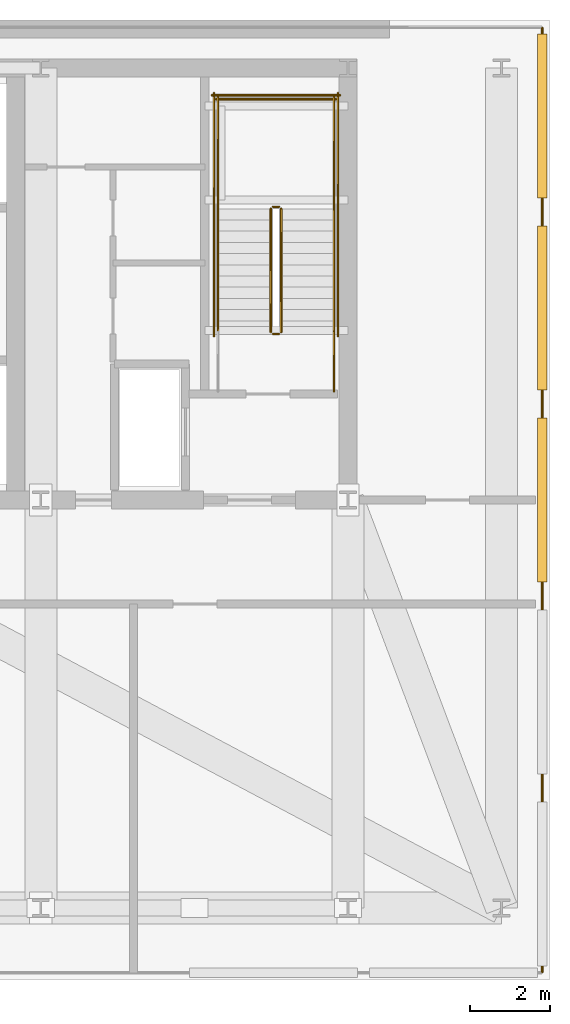
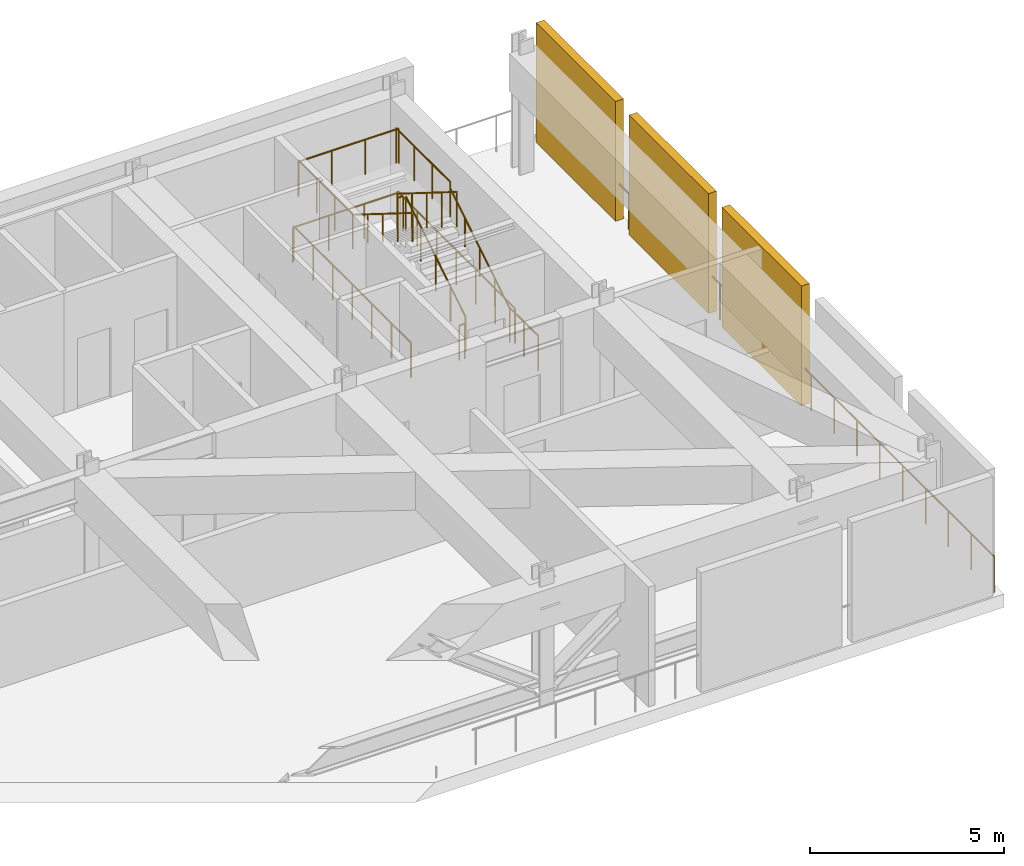
# One storey, part 8 of 8: 14 railings, 3 shading devices.
"""IFC4 building model written with IfcOpenShell, lengths in metres."""

from ifc_helpers import new_model, si_unit, direction, frame, origin, origin_2d, place, context, subcontext, project, spatial, rectangle, circle, extrude, material, layer, layer_set, type_object, element, save


model = new_model("IFC4")

# Units and contexts
model_context = context("Model", 3, precision=1e-05, world=origin(), true_north=direction((0.0, 1.0)))
body_context = subcontext(model_context, "Body", "Model", "MODEL_VIEW")
ifc_project = project(units=[si_unit("LENGTHUNIT", "METRE"), si_unit("AREAUNIT", "SQUARE_METRE"), si_unit("VOLUMEUNIT", "CUBIC_METRE"), si_unit("PLANEANGLEUNIT", "RADIAN"), si_unit("MASSUNIT", "GRAM", prefix="KILO")], contexts=[model_context])

# Site, building, storey
site_placement = place(None, origin())
site = spatial("IfcSite", under=ifc_project, at=site_placement, CompositionType="ELEMENT")
building_placement = place(site_placement, origin())
building = spatial("IfcBuilding", under=site, at=building_placement, Name="Yelkora Congress Tower", CompositionType="ELEMENT")
storey_placement = place(building_placement, frame((0.0, 0.0, 200.300048828125)))
storey = spatial("IfcBuildingStorey", under=building, at=storey_placement, Name="L55", CompositionType="ELEMENT", Elevation=200.300048828125)

# Railings
ifc_material_1 = material(Name="Stainless steel 316L and laminated glass infill", Category="steel")
ifc_layer_1 = layer(ifc_material_1, 0.080078125)
ifc_layer_set_1 = layer_set([ifc_layer_1], Name="Stainless steel 316L and laminated glass infill")
railing_type_1 = type_object("IfcRailingType", Name="RAIL-EXT-GUARD-1150", PredefinedType="GUARDRAIL", material=ifc_layer_set_1)
railing_1_placement = place(storey_placement, frame((58.6201171875, 23.60009765625, 0.0)))
element("IfcRailing", 1, at=railing_1_placement, inside=storey, type_object=railing_type_1, Name="L55 Wind-Floor Perimeter Guardrail E", PredefinedType="GUARDRAIL", context=body_context, shape_type="SweptSolid", body=[
    extrude(circle(Radius=0.02392578125, at=origin_2d()), frame((0.0, 0.0, 1.1259765625), z_axis=(0.0, 1.0, 0.0), x_axis=(-1.0, 0.0, 0.0)), (0.0, 0.0, 1.0), 23.599853515625),
    extrude(circle(Radius=0.02099609375, at=origin_2d()), origin(), (0.0, 0.0, 1.0), 1.101806640625),
    extrude(circle(Radius=0.02099609375, at=origin_2d()), frame((0.0, 1.179931640625, 0.0)), (0.0, 0.0, 1.0), 1.101806640625),
    extrude(circle(Radius=0.02099609375, at=origin_2d()), frame((0.0, 2.35986328125, 0.0)), (0.0, 0.0, 1.0), 1.101806640625),
    extrude(circle(Radius=0.02099609375, at=origin_2d()), frame((0.0, 3.5400390625, 0.0)), (0.0, 0.0, 1.0), 1.101806640625),
    extrude(circle(Radius=0.02099609375, at=origin_2d()), frame((0.0, 4.719970703125, 0.0)), (0.0, 0.0, 1.0), 1.101806640625),
    extrude(circle(Radius=0.02099609375, at=origin_2d()), frame((0.0, 5.89990234375, 0.0)), (0.0, 0.0, 1.0), 1.101806640625),
    extrude(circle(Radius=0.02099609375, at=origin_2d()), frame((0.0, 7.080078125, 0.0)), (0.0, 0.0, 1.0), 1.101806640625),
    extrude(circle(Radius=0.02099609375, at=origin_2d()), frame((0.0, 8.260009765625, 0.0)), (0.0, 0.0, 1.0), 1.101806640625),
    extrude(circle(Radius=0.02099609375, at=origin_2d()), frame((0.0, 9.43994140625, 0.0)), (0.0, 0.0, 1.0), 1.101806640625),
    extrude(circle(Radius=0.02099609375, at=origin_2d()), frame((0.0, 10.619873046875, 0.0)), (0.0, 0.0, 1.0), 1.101806640625),
    extrude(circle(Radius=0.02099609375, at=origin_2d()), frame((0.0, 11.7998046875, 0.0)), (0.0, 0.0, 1.0), 1.101806640625),
    extrude(circle(Radius=0.02099609375, at=origin_2d()), frame((0.0, 12.97998046875, 0.0)), (0.0, 0.0, 1.0), 1.101806640625),
    extrude(circle(Radius=0.02099609375, at=origin_2d()), frame((0.0, 14.159912109375, 0.0)), (0.0, 0.0, 1.0), 1.101806640625),
    extrude(circle(Radius=0.02099609375, at=origin_2d()), frame((0.0, 15.33984375, 0.0)), (0.0, 0.0, 1.0), 1.101806640625),
    extrude(circle(Radius=0.02099609375, at=origin_2d()), frame((0.0, 16.52001953125, 0.0)), (0.0, 0.0, 1.0), 1.101806640625),
    extrude(circle(Radius=0.02099609375, at=origin_2d()), frame((0.0, 17.699951171875, 0.0)), (0.0, 0.0, 1.0), 1.101806640625),
    extrude(circle(Radius=0.02099609375, at=origin_2d()), frame((0.0, 18.8798828125, 0.0)), (0.0, 0.0, 1.0), 1.101806640625),
    extrude(circle(Radius=0.02099609375, at=origin_2d()), frame((0.0, 20.059814453125, 0.0)), (0.0, 0.0, 1.0), 1.101806640625),
    extrude(circle(Radius=0.02099609375, at=origin_2d()), frame((0.0, 21.23974609375, 0.0)), (0.0, 0.0, 1.0), 1.101806640625),
    extrude(circle(Radius=0.02099609375, at=origin_2d()), frame((0.0, 22.419921875, 0.0)), (0.0, 0.0, 1.0), 1.101806640625),
    extrude(circle(Radius=0.02099609375, at=origin_2d()), frame((0.0, 23.599853515625, 0.0)), (0.0, 0.0, 1.0), 1.101806640625),
])
ifc_material_2 = material(Name="Painted galvanised steel stair well guard with vertical infill", Category="steel")
ifc_layer_2 = layer(ifc_material_2, 0.06005859375)
ifc_layer_set_2 = layer_set([ifc_layer_2], Name="Painted galvanised steel stair well guard with vertical infill")
railing_type_2 = type_object("IfcRailingType", Name="RAIL-STAIR-GUARD-1120", PredefinedType="GUARDRAIL", material=ifc_layer_set_2)
railing_2_placement = place(storey_placement, frame((52.090087890625, 39.60009765625, 0.175048828125)))
element("IfcRailing", 2, at=railing_2_placement, inside=storey, type_object=railing_type_2, Name="ST-02 L55 Stair Well Guardrail 1", PredefinedType="GUARDRAIL", context=body_context, shape_type="SweptSolid", body=[
    extrude(circle(Radius=0.02392578125, at=origin_2d()), frame((0.0, 0.0, 1.09619140625), z_axis=(0.0, 0.848009633417, 0.529980812513), x_axis=(-1.0, 0.0, 0.0)), (0.0, 0.0, 1.0), 3.6318359375),
    extrude(circle(Radius=0.02099609375, at=origin_2d()), origin(), (0.0, 0.0, 1.0), 1.072021484375),
    extrude(circle(Radius=0.02099609375, at=origin_2d()), frame((0.0, 0.77001953125, 0.481201171875)), (0.0, 0.0, 1.0), 1.072021484375),
    extrude(circle(Radius=0.02099609375, at=origin_2d()), frame((0.0, 1.5400390625, 0.96240234375)), (0.0, 0.0, 1.0), 1.072021484375),
    extrude(circle(Radius=0.02099609375, at=origin_2d()), frame((0.0, 2.309814453125, 1.443603515625)), (0.0, 0.0, 1.0), 1.072021484375),
    extrude(circle(Radius=0.02099609375, at=origin_2d()), frame((0.0, 3.079833984375, 1.9248046875)), (0.0, 0.0, 1.0), 1.072021484375),
])
railing_3_placement = place(storey_placement, frame((52.0400390625, 42.72998046875, 2.099853515625)))
element("IfcRailing", 3, at=railing_3_placement, inside=storey, type_object=railing_type_2, Name="ST-02 L55 Stair Well Guardrail 2", PredefinedType="GUARDRAIL", context=body_context, shape_type="SweptSolid", body=[
    extrude(circle(Radius=0.02392578125, at=origin_2d()), frame((0.0, 0.0, 1.09619140625), z_axis=(-1.0, 0.0, 0.0), x_axis=(0.0, -1.0, 0.0)), (0.0, 0.0, 1.0), 0.16015625),
    extrude(circle(Radius=0.02099609375, at=origin_2d()), origin(), (0.0, 0.0, 1.0), 1.072021484375),
    extrude(circle(Radius=0.02099609375, at=origin_2d()), frame((-0.16015625, 0.0, 0.0)), (0.0, 0.0, 1.0), 1.072021484375),
])
for number, where, name in (
    (4, (53.409912109375, 42.679931640625, 2.099853515625), "ST-02 L55 Stair Well Guardrail 3"),
    (5, (50.510009765625, 42.679931640625, 2.099853515625), "ST-02 L55 Stair Well Guardrail 4"),
):
    element("IfcRailing", number, at=place(storey_placement, frame(where)), inside=storey, type_object=railing_type_2, Name=name, PredefinedType="GUARDRAIL", context=body_context, shape_type="SweptSolid", body=[
        extrude(circle(Radius=0.02392578125, at=origin_2d()), frame((0.0, 0.0, 1.09619140625), z_axis=(0.0, 1.0, 0.0), x_axis=(-1.0, 0.0, 0.0)), (0.0, 0.0, 1.0), 2.7900390625),
        extrude(circle(Radius=0.02099609375, at=origin_2d()), origin(), (0.0, 0.0, 1.0), 1.072021484375),
        extrude(circle(Radius=0.02099609375, at=origin_2d()), frame((0.0, 0.929931640625, 0.0)), (0.0, 0.0, 1.0), 1.072021484375),
        extrude(circle(Radius=0.02099609375, at=origin_2d()), frame((0.0, 1.860107421875, 0.0)), (0.0, 0.0, 1.0), 1.072021484375),
        extrude(circle(Radius=0.02099609375, at=origin_2d()), frame((0.0, 2.7900390625, 0.0)), (0.0, 0.0, 1.0), 1.072021484375),
    ])
railing_4_placement = place(storey_placement, frame((53.4599609375, 45.419921875, 2.099853515625)))
element("IfcRailing", 6, at=railing_4_placement, inside=storey, type_object=railing_type_2, Name="ST-02 L55 Stair Well Guardrail 5", PredefinedType="GUARDRAIL", context=body_context, shape_type="SweptSolid", body=[
    extrude(circle(Radius=0.02392578125, at=origin_2d()), frame((0.0, 0.0, 1.09619140625), z_axis=(-1.0, 0.0, 0.0), x_axis=(0.0, -1.0, 0.0)), (0.0, 0.0, 1.0), 3.0),
    extrude(circle(Radius=0.02099609375, at=origin_2d()), origin(), (0.0, 0.0, 1.0), 1.072021484375),
    extrude(circle(Radius=0.02099609375, at=origin_2d()), frame((-1.0, 0.0, 0.0)), (0.0, 0.0, 1.0), 1.072021484375),
    extrude(circle(Radius=0.02099609375, at=origin_2d()), frame((-2.0, 0.0, 0.0)), (0.0, 0.0, 1.0), 1.072021484375),
    extrude(circle(Radius=0.02099609375, at=origin_2d()), frame((-3.0, 0.0, 0.0)), (0.0, 0.0, 1.0), 1.072021484375),
])
railing_5_placement = place(storey_placement, frame((51.830078125, 42.679931640625, 2.27490234375)))
element("IfcRailing", 7, at=railing_5_placement, inside=storey, type_object=railing_type_2, Name="ST-02 L55 Stair Well Guardrail 6", PredefinedType="GUARDRAIL", context=body_context, shape_type="SweptSolid", body=[
    extrude(circle(Radius=0.02392578125, at=origin_2d()), frame((0.0, 0.0, 1.09619140625), z_axis=(0.0, -0.847979421464, 0.530029150871), x_axis=(1.0, 0.0, 0.0)), (0.0, 0.0, 1.0), 3.632080078125),
    extrude(circle(Radius=0.02099609375, at=origin_2d()), origin(), (0.0, 0.0, 1.0), 1.072021484375),
    extrude(circle(Radius=0.02099609375, at=origin_2d()), frame((0.0, -0.77001953125, 0.481201171875)), (0.0, 0.0, 1.0), 1.072021484375),
    extrude(circle(Radius=0.02099609375, at=origin_2d()), frame((0.0, -1.5400390625, 0.96240234375)), (0.0, 0.0, 1.0), 1.072021484375),
    extrude(circle(Radius=0.02099609375, at=origin_2d()), frame((0.0, -2.309814453125, 1.44384765625)), (0.0, 0.0, 1.0), 1.072021484375),
    extrude(circle(Radius=0.02099609375, at=origin_2d()), frame((0.0, -3.079833984375, 1.925048828125)), (0.0, 0.0, 1.0), 1.072021484375),
])
railing_6_placement = place(storey_placement, frame((52.0400390625, 39.550048828125, 0.0)))
element("IfcRailing", 8, at=railing_6_placement, inside=storey, type_object=railing_type_2, Name="ST-02 L55 Stair Well Guardrail 7", PredefinedType="GUARDRAIL", context=body_context, shape_type="SweptSolid", body=[
    extrude(circle(Radius=0.02392578125, at=origin_2d()), frame((0.0, 0.0, 1.09619140625), z_axis=(-1.0, 0.0, 0.0), x_axis=(0.0, -1.0, 0.0)), (0.0, 0.0, 1.0), 0.16015625),
    extrude(circle(Radius=0.02099609375, at=origin_2d()), origin(), (0.0, 0.0, 1.0), 1.072021484375),
    extrude(circle(Radius=0.02099609375, at=origin_2d()), frame((-0.16015625, 0.0, 0.0)), (0.0, 0.0, 1.0), 1.072021484375),
])
railing_7_placement = place(storey_placement, frame((53.409912109375, 38.1201171875, 0.0)))
element("IfcRailing", 9, at=railing_7_placement, inside=storey, type_object=railing_type_2, Name="ST-02 L55 Stair Well Guardrail 8", PredefinedType="GUARDRAIL", context=body_context, shape_type="SweptSolid", body=[
    extrude(circle(Radius=0.02392578125, at=origin_2d()), frame((0.0, 0.0, 1.09619140625), z_axis=(0.0, 1.0, 0.0), x_axis=(-1.0, 0.0, 0.0)), (0.0, 0.0, 1.0), 1.47998046875),
    extrude(circle(Radius=0.02099609375, at=origin_2d()), origin(), (0.0, 0.0, 1.0), 1.072021484375),
    extrude(circle(Radius=0.02099609375, at=origin_2d()), frame((0.0, 0.739990234375, 0.0)), (0.0, 0.0, 1.0), 1.072021484375),
    extrude(circle(Radius=0.02099609375, at=origin_2d()), frame((0.0, 1.47998046875, 0.0)), (0.0, 0.0, 1.0), 1.072021484375),
])
for number, where, name in (
    (10, (53.510009765625, 39.5, 0.0), "ST-02 L55 Stair Well Guardrail 10"),
    (11, (50.409912109375, 39.5, 0.0), "ST-02 L55 Stair Well Guardrail 11"),
):
    element("IfcRailing", number, at=place(storey_placement, frame(where)), inside=storey, type_object=railing_type_2, Name=name, PredefinedType="GUARDRAIL", context=body_context, shape_type="SweptSolid", body=[
        extrude(circle(Radius=0.02392578125, at=origin_2d()), frame((0.0, 0.0, 1.09619140625), z_axis=(0.0, 1.0, 0.0), x_axis=(-1.0, 0.0, 0.0)), (0.0, 0.0, 1.0), 6.070068359375),
        extrude(circle(Radius=0.02099609375, at=origin_2d()), origin(), (0.0, 0.0, 1.0), 1.072021484375),
        extrude(circle(Radius=0.02099609375, at=origin_2d()), frame((0.0, 1.01171875, 0.0)), (0.0, 0.0, 1.0), 1.072021484375),
        extrude(circle(Radius=0.02099609375, at=origin_2d()), frame((0.0, 2.0234375, 0.0)), (0.0, 0.0, 1.0), 1.072021484375),
        extrude(circle(Radius=0.02099609375, at=origin_2d()), frame((0.0, 3.03515625, 0.0)), (0.0, 0.0, 1.0), 1.072021484375),
        extrude(circle(Radius=0.02099609375, at=origin_2d()), frame((0.0, 4.046630859375, 0.0)), (0.0, 0.0, 1.0), 1.072021484375),
        extrude(circle(Radius=0.02099609375, at=origin_2d()), frame((0.0, 5.058349609375, 0.0)), (0.0, 0.0, 1.0), 1.072021484375),
        extrude(circle(Radius=0.02099609375, at=origin_2d()), frame((0.0, 6.070068359375, 0.0)), (0.0, 0.0, 1.0), 1.072021484375),
    ])
railing_8_placement = place(storey_placement, frame((53.56005859375, 45.52001953125, 0.0)))
element("IfcRailing", 12, at=railing_8_placement, inside=storey, type_object=railing_type_2, Name="ST-02 L55 Stair Well Guardrail 12", PredefinedType="GUARDRAIL", context=body_context, shape_type="SweptSolid", body=[
    extrude(circle(Radius=0.02392578125, at=origin_2d()), frame((0.0, 0.0, 1.09619140625), z_axis=(-1.0, 0.0, 0.0), x_axis=(0.0, -1.0, 0.0)), (0.0, 0.0, 1.0), 3.199951171875),
    extrude(circle(Radius=0.02099609375, at=origin_2d()), origin(), (0.0, 0.0, 1.0), 1.072021484375),
    extrude(circle(Radius=0.02099609375, at=origin_2d()), frame((-1.066650390625, 0.0, 0.0)), (0.0, 0.0, 1.0), 1.072021484375),
    extrude(circle(Radius=0.02099609375, at=origin_2d()), frame((-2.13330078125, 0.0, 0.0)), (0.0, 0.0, 1.0), 1.072021484375),
    extrude(circle(Radius=0.02099609375, at=origin_2d()), frame((-3.199951171875, 0.0, 0.0)), (0.0, 0.0, 1.0), 1.072021484375),
])
ifc_material_3 = material(Name="Brushed stainless steel tubular handrail", Category="steel")
ifc_layer_3 = layer(ifc_material_3, 0.050048828125)
ifc_layer_set_3 = layer_set([ifc_layer_3], Name="Brushed stainless steel tubular handrail")
railing_type_3 = type_object("IfcRailingType", Name="RAIL-STAIR-HAND-920", PredefinedType="HANDRAIL", material=ifc_layer_set_3)
railing_9_placement = place(storey_placement, frame((53.409912109375, 39.60009765625, 0.175048828125)))
element("IfcRailing", 13, at=railing_9_placement, inside=storey, type_object=railing_type_3, Name="ST-02 L55 Pitch Handrail 1", PredefinedType="HANDRAIL", context=body_context, shape_type="SweptSolid", body=[
    extrude(circle(Radius=0.02392578125, at=origin_2d()), frame((0.0, 0.0, 0.89599609375), z_axis=(0.0, 0.848009633417, 0.529980812513), x_axis=(-1.0, 0.0, 0.0)), (0.0, 0.0, 1.0), 3.6318359375),
    extrude(circle(Radius=0.02099609375, at=origin_2d()), origin(), (0.0, 0.0, 1.0), 0.871826171875),
    extrude(circle(Radius=0.02099609375, at=origin_2d()), frame((0.0, 0.77001953125, 0.481201171875)), (0.0, 0.0, 1.0), 0.871826171875),
    extrude(circle(Radius=0.02099609375, at=origin_2d()), frame((0.0, 1.5400390625, 0.96240234375)), (0.0, 0.0, 1.0), 0.871826171875),
    extrude(circle(Radius=0.02099609375, at=origin_2d()), frame((0.0, 2.309814453125, 1.443603515625)), (0.0, 0.0, 1.0), 0.871826171875),
    extrude(circle(Radius=0.02099609375, at=origin_2d()), frame((0.0, 3.079833984375, 1.9248046875)), (0.0, 0.0, 1.0), 0.871826171875),
])
railing_10_placement = place(storey_placement, frame((50.510009765625, 42.679931640625, 2.27490234375)))
element("IfcRailing", 14, at=railing_10_placement, inside=storey, type_object=railing_type_3, Name="ST-02 L55 Pitch Handrail 2", PredefinedType="HANDRAIL", context=body_context, shape_type="SweptSolid", body=[
    extrude(circle(Radius=0.02392578125, at=origin_2d()), frame((0.0, 0.0, 0.89599609375), z_axis=(0.0, -0.847979421464, 0.530029150871), x_axis=(1.0, 0.0, 0.0)), (0.0, 0.0, 1.0), 3.632080078125),
    extrude(circle(Radius=0.02099609375, at=origin_2d()), origin(), (0.0, 0.0, 1.0), 0.871826171875),
    extrude(circle(Radius=0.02099609375, at=origin_2d()), frame((0.0, -0.77001953125, 0.481201171875)), (0.0, 0.0, 1.0), 0.871826171875),
    extrude(circle(Radius=0.02099609375, at=origin_2d()), frame((0.0, -1.5400390625, 0.96240234375)), (0.0, 0.0, 1.0), 0.871826171875),
    extrude(circle(Radius=0.02099609375, at=origin_2d()), frame((0.0, -2.309814453125, 1.44384765625)), (0.0, 0.0, 1.0), 0.871826171875),
    extrude(circle(Radius=0.02099609375, at=origin_2d()), frame((0.0, -3.079833984375, 1.925048828125)), (0.0, 0.0, 1.0), 0.871826171875),
])

# Shading devices
ifc_material_4 = material(Name="Perforated anodised aluminium louvre", Category="aluminium")
ifc_layer_4 = layer(ifc_material_4, 3.39990234375)
ifc_layer_set_4 = layer_set([ifc_layer_4], Name="Perforated anodised aluminium louvre")
shading_device_type = type_object("IfcShadingDeviceType", Name="SHD-LOUVRE-WIND", PredefinedType="JALOUSIE", material=ifc_layer_set_4)
for number, where, z_axis, x_axis, name in (
    (15, (58.6201171875, 35.39990234375, 0.0), (0.0, 0.0, 1.0), (1.0, 0.0, 0.0), "L55 Acoustic Wind-Floor Louvre Screen E3"),
    (16, (58.6201171875, 40.199951171875, 0.0), (0.0, 0.0, 1.0), (1.0, 0.0, 0.0), "L55 Acoustic Wind-Floor Louvre Screen E4"),
    (17, (58.6201171875, 45.0, 0.0), (0.0, 0.0, 1.0), (1.0, 0.0, 0.0), "L55 Acoustic Wind-Floor Louvre Screen E5"),
):
    element("IfcShadingDevice", number, at=place(storey_placement, frame(where, z_axis=z_axis, x_axis=x_axis)), inside=storey, type_object=shading_device_type, Name=name, PredefinedType="JALOUSIE", context=body_context, shape_type="SweptSolid", body=[
        extrude(rectangle(XDim=0.239990234375, YDim=4.10009765625, at=origin_2d()), origin(), (0.0, 0.0, 1.0), 3.780029296875),
    ])

save(model, "model.ifc")
